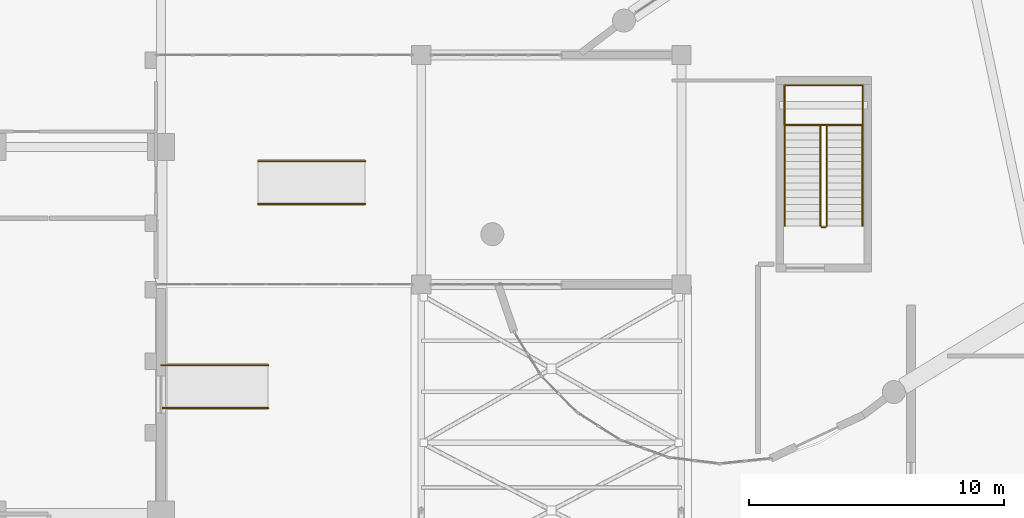
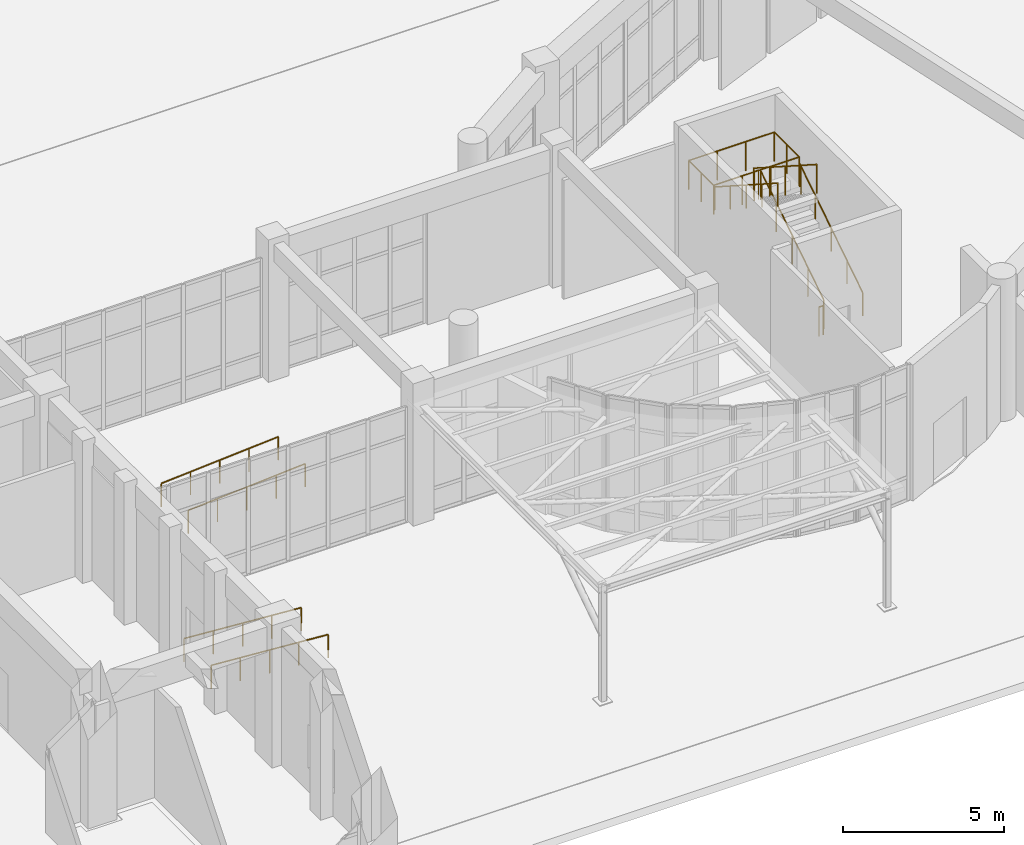
# One storey, part 62 of 70: 12 railings.
"""IFC4 building model written with IfcOpenShell, lengths in metres."""

from ifc_helpers import new_model, si_unit, direction, frame, origin, origin_2d, place, context, subcontext, project, spatial, circle, extrude, material, type_object, element, save


model = new_model("IFC4")

# Units and contexts
model_context = context("Model", 3, precision=1e-05, world=origin(), true_north=direction((0.0, 1.0)))
body_context = subcontext(model_context, "Body", "Model", "MODEL_VIEW")
ifc_project = project(units=[si_unit("LENGTHUNIT", "METRE"), si_unit("AREAUNIT", "SQUARE_METRE"), si_unit("VOLUMEUNIT", "CUBIC_METRE"), si_unit("PLANEANGLEUNIT", "RADIAN"), si_unit("MASSUNIT", "GRAM", prefix="KILO")], contexts=[model_context])

# Site, building, storey
site_placement = place(None, origin())
site = spatial("IfcSite", under=ifc_project, at=site_placement, CompositionType="ELEMENT")
building_placement = place(site_placement, origin())
building = spatial("IfcBuilding", under=site, at=building_placement, Name="Miralva Faculty of Natural Sciences", CompositionType="ELEMENT")
storey_placement = place(building_placement, origin())
storey = spatial("IfcBuildingStorey", under=building, at=storey_placement, Name="L00", CompositionType="ELEMENT", Elevation=0.0)

# Railings
ifc_material = material(Name="Steel S355", Category="steel")
railing_type_1 = type_object("IfcRailingType", Name="RL-GR01", PredefinedType="GUARDRAIL", material=ifc_material)
railing_1_placement = place(storey_placement, frame((62.10009765625, 20.300048828125, 0.179931640625)))
element("IfcRailing", 1, at=railing_1_placement, inside=storey, type_object=railing_type_1, Name="Stair Core C6 safety guard L00-1", PredefinedType="GUARDRAIL", context=body_context, shape_type="SweptSolid", body=[
    extrude(circle(Radius=0.02392578125, at=origin_2d()), frame((0.0, 0.0, 1.09619140625), z_axis=(0.0, 0.841171666519, 0.540768182723), x_axis=(-1.0, 0.0, 0.0)), (0.0, 0.0, 1.0), 4.66015625),
    extrude(circle(Radius=0.02099609375, at=origin_2d()), origin(), (0.0, 0.0, 1.0), 1.072021484375),
    extrude(circle(Radius=0.02099609375, at=origin_2d()), frame((0.0, 0.97998046875, 0.6298828125)), (0.0, 0.0, 1.0), 1.072021484375),
    extrude(circle(Radius=0.02099609375, at=origin_2d()), frame((0.0, 1.9599609375, 1.260009765625)), (0.0, 0.0, 1.0), 1.072021484375),
    extrude(circle(Radius=0.02099609375, at=origin_2d()), frame((0.0, 2.93994140625, 1.89013671875)), (0.0, 0.0, 1.0), 1.072021484375),
    extrude(circle(Radius=0.02099609375, at=origin_2d()), frame((0.0, 3.919921875, 2.52001953125)), (0.0, 0.0, 1.0), 1.072021484375),
])
railing_2_placement = place(storey_placement, frame((62.050048828125, 24.27001953125, 2.699951171875)))
element("IfcRailing", 2, at=railing_2_placement, inside=storey, type_object=railing_type_1, Name="Stair Core C6 safety guard L00-2", PredefinedType="GUARDRAIL", context=body_context, shape_type="SweptSolid", body=[
    extrude(circle(Radius=0.02392578125, at=origin_2d()), frame((0.0, 0.0, 1.09619140625), z_axis=(-1.0, 0.0, 0.0), x_axis=(0.0, -1.0, 0.0)), (0.0, 0.0, 1.0), 0.150146484375),
    extrude(circle(Radius=0.02099609375, at=origin_2d()), origin(), (0.0, 0.0, 1.0), 1.072021484375),
    extrude(circle(Radius=0.02099609375, at=origin_2d()), frame((-0.150146484375, 0.0, 0.0)), (0.0, 0.0, 1.0), 1.072021484375),
])
railing_3_placement = place(storey_placement, frame((61.85009765625, 24.219970703125, 2.8798828125)))
element("IfcRailing", 3, at=railing_3_placement, inside=storey, type_object=railing_type_1, Name="Stair Core C6 safety guard L00-3", PredefinedType="GUARDRAIL", context=body_context, shape_type="SweptSolid", body=[
    extrude(circle(Radius=0.02392578125, at=origin_2d()), frame((0.0, 0.0, 1.09619140625), z_axis=(0.0, -0.841171666519, 0.540768182723), x_axis=(1.0, 0.0, 0.0)), (0.0, 0.0, 1.0), 4.66015625),
    extrude(circle(Radius=0.02099609375, at=origin_2d()), origin(), (0.0, 0.0, 1.0), 1.072021484375),
    extrude(circle(Radius=0.02099609375, at=origin_2d()), frame((0.0, -0.97998046875, 0.6298828125)), (0.0, 0.0, 1.0), 1.072021484375),
    extrude(circle(Radius=0.02099609375, at=origin_2d()), frame((0.0, -1.9599609375, 1.260009765625)), (0.0, 0.0, 1.0), 1.072021484375),
    extrude(circle(Radius=0.02099609375, at=origin_2d()), frame((0.0, -2.93994140625, 1.89013671875)), (0.0, 0.0, 1.0), 1.072021484375),
    extrude(circle(Radius=0.02099609375, at=origin_2d()), frame((0.0, -3.919921875, 2.52001953125)), (0.0, 0.0, 1.0), 1.072021484375),
])
railing_4_placement = place(storey_placement, frame((62.050048828125, 20.25, 0.0)))
element("IfcRailing", 4, at=railing_4_placement, inside=storey, type_object=railing_type_1, Name="Stair Core C6 safety guard L00-4", PredefinedType="GUARDRAIL", context=body_context, shape_type="SweptSolid", body=[
    extrude(circle(Radius=0.02392578125, at=origin_2d()), frame((0.0, 0.0, 1.09619140625), z_axis=(-1.0, 0.0, 0.0), x_axis=(0.0, -1.0, 0.0)), (0.0, 0.0, 1.0), 0.150146484375),
    extrude(circle(Radius=0.02099609375, at=origin_2d()), origin(), (0.0, 0.0, 1.0), 1.072021484375),
    extrude(circle(Radius=0.02099609375, at=origin_2d()), frame((-0.150146484375, 0.0, 0.0)), (0.0, 0.0, 1.0), 1.072021484375),
])
railing_5_placement = place(storey_placement, frame((60.43994140625, 24.260009765625, 2.699951171875)))
element("IfcRailing", 5, at=railing_5_placement, inside=storey, type_object=railing_type_1, Name="Stair Core C6 half-landing guard L00-1A", PredefinedType="GUARDRAIL", context=body_context, shape_type="SweptSolid", body=[
    extrude(circle(Radius=0.02392578125, at=origin_2d()), frame((0.0, 0.0, 1.09619140625), z_axis=(0.0, 1.0, 0.0), x_axis=(-1.0, 0.0, 0.0)), (0.0, 0.0, 1.0), 1.550048828125),
    extrude(circle(Radius=0.02392578125, at=origin_2d()), frame((0.0, 1.550048828125, 1.09619140625), z_axis=(1.0, 0.0, 0.0), x_axis=(0.0, 1.0, 0.0)), (0.0, 0.0, 1.0), 3.070068359375),
    extrude(circle(Radius=0.02099609375, at=origin_2d()), origin(), (0.0, 0.0, 1.0), 1.072021484375),
    extrude(circle(Radius=0.02099609375, at=origin_2d()), frame((0.0, 0.77490234375, 0.0)), (0.0, 0.0, 1.0), 1.072021484375),
    extrude(circle(Radius=0.02099609375, at=origin_2d()), frame((0.0, 1.550048828125, 0.0)), (0.0, 0.0, 1.0), 1.072021484375),
    extrude(circle(Radius=0.02099609375, at=origin_2d()), frame((1.0234375, 1.550048828125, 0.0)), (0.0, 0.0, 1.0), 1.072021484375),
    extrude(circle(Radius=0.02099609375, at=origin_2d()), frame((2.046630859375, 1.550048828125, 0.0)), (0.0, 0.0, 1.0), 1.072021484375),
    extrude(circle(Radius=0.02099609375, at=origin_2d()), frame((3.070068359375, 1.550048828125, 0.0)), (0.0, 0.0, 1.0), 1.072021484375),
])
railing_6_placement = place(storey_placement, frame((63.510009765625, 25.81005859375, 2.699951171875)))
element("IfcRailing", 6, at=railing_6_placement, inside=storey, type_object=railing_type_1, Name="Stair Core C6 half-landing guard L00-1B", PredefinedType="GUARDRAIL", context=body_context, shape_type="SweptSolid", body=[
    extrude(circle(Radius=0.02392578125, at=origin_2d()), frame((0.0, 0.0, 1.09619140625), z_axis=(0.0, -1.0, 0.0), x_axis=(1.0, 0.0, 0.0)), (0.0, 0.0, 1.0), 1.550048828125),
    extrude(circle(Radius=0.02392578125, at=origin_2d()), frame((0.0, -1.550048828125, 1.09619140625), z_axis=(-1.0, 0.0, 0.0), x_axis=(0.0, -1.0, 0.0)), (0.0, 0.0, 1.0), 3.070068359375),
    extrude(circle(Radius=0.02099609375, at=origin_2d()), origin(), (0.0, 0.0, 1.0), 1.072021484375),
    extrude(circle(Radius=0.02099609375, at=origin_2d()), frame((0.0, -0.77490234375, 0.0)), (0.0, 0.0, 1.0), 1.072021484375),
    extrude(circle(Radius=0.02099609375, at=origin_2d()), frame((0.0, -1.550048828125, 0.0)), (0.0, 0.0, 1.0), 1.072021484375),
    extrude(circle(Radius=0.02099609375, at=origin_2d()), frame((-1.0234375, -1.550048828125, 0.0)), (0.0, 0.0, 1.0), 1.072021484375),
    extrude(circle(Radius=0.02099609375, at=origin_2d()), frame((-2.046630859375, -1.550048828125, 0.0)), (0.0, 0.0, 1.0), 1.072021484375),
    extrude(circle(Radius=0.02099609375, at=origin_2d()), frame((-3.070068359375, -1.550048828125, 0.0)), (0.0, 0.0, 1.0), 1.072021484375),
])
railing_type_2 = type_object("IfcRailingType", Name="RL-HR01", PredefinedType="HANDRAIL", material=ifc_material)
railing_7_placement = place(storey_placement, frame((63.5, 20.300048828125, 0.179931640625)))
element("IfcRailing", 7, at=railing_7_placement, inside=storey, type_object=railing_type_2, Name="Stair Core C6 handrail L00-1", PredefinedType="HANDRAIL", context=body_context, shape_type="SweptSolid", body=[
    extrude(circle(Radius=0.02392578125, at=origin_2d()), frame((0.0, 0.0, 0.8759765625), z_axis=(0.0, 0.841171666519, 0.540768182723), x_axis=(-1.0, 0.0, 0.0)), (0.0, 0.0, 1.0), 4.66015625),
    extrude(circle(Radius=0.02099609375, at=origin_2d()), origin(), (0.0, 0.0, 1.0), 0.851806640625),
    extrude(circle(Radius=0.02099609375, at=origin_2d()), frame((0.0, 0.97998046875, 0.6298828125)), (0.0, 0.0, 1.0), 0.851806640625),
    extrude(circle(Radius=0.02099609375, at=origin_2d()), frame((0.0, 1.9599609375, 1.260009765625)), (0.0, 0.0, 1.0), 0.851806640625),
    extrude(circle(Radius=0.02099609375, at=origin_2d()), frame((0.0, 2.93994140625, 1.89013671875)), (0.0, 0.0, 1.0), 0.851806640625),
    extrude(circle(Radius=0.02099609375, at=origin_2d()), frame((0.0, 3.919921875, 2.52001953125)), (0.0, 0.0, 1.0), 0.851806640625),
])
railing_8_placement = place(storey_placement, frame((60.449951171875, 24.219970703125, 2.8798828125)))
element("IfcRailing", 8, at=railing_8_placement, inside=storey, type_object=railing_type_2, Name="Stair Core C6 handrail L00-2", PredefinedType="HANDRAIL", context=body_context, shape_type="SweptSolid", body=[
    extrude(circle(Radius=0.02392578125, at=origin_2d()), frame((0.0, 0.0, 0.8759765625), z_axis=(0.0, -0.841171666519, 0.540768182723), x_axis=(1.0, 0.0, 0.0)), (0.0, 0.0, 1.0), 4.66015625),
    extrude(circle(Radius=0.02099609375, at=origin_2d()), origin(), (0.0, 0.0, 1.0), 0.851806640625),
    extrude(circle(Radius=0.02099609375, at=origin_2d()), frame((0.0, -0.97998046875, 0.6298828125)), (0.0, 0.0, 1.0), 0.851806640625),
    extrude(circle(Radius=0.02099609375, at=origin_2d()), frame((0.0, -1.9599609375, 1.260009765625)), (0.0, 0.0, 1.0), 0.851806640625),
    extrude(circle(Radius=0.02099609375, at=origin_2d()), frame((0.0, -2.93994140625, 1.89013671875)), (0.0, 0.0, 1.0), 0.851806640625),
    extrude(circle(Radius=0.02099609375, at=origin_2d()), frame((0.0, -3.919921875, 2.52001953125)), (0.0, 0.0, 1.0), 0.851806640625),
])
for number, where, name in (
    (9, (40.199951171875, 14.840087890625, -0.300048828125), "Accessible ramp handrail RMP-PED-01-L"),
    (10, (40.199951171875, 13.159912109375, -0.300048828125), "Accessible ramp handrail RMP-PED-01-R"),
):
    element("IfcRailing", number, at=place(storey_placement, frame(where)), inside=storey, type_object=railing_type_2, Name=name, PredefinedType="HANDRAIL", context=body_context, shape_type="SweptSolid", body=[
        extrude(circle(Radius=0.02392578125, at=origin_2d()), frame((0.0, 0.0, 0.8759765625), z_axis=(-0.997457816785, 0.0, 0.071259411546), x_axis=(0.0, -1.0, 0.0)), (0.0, 0.0, 1.0), 4.210693359375),
        extrude(circle(Radius=0.02099609375, at=origin_2d()), origin(), (0.0, 0.0, 1.0), 0.851806640625),
        extrude(circle(Radius=0.02099609375, at=origin_2d()), frame((-1.050048828125, 0.0, 0.074951171875)), (0.0, 0.0, 1.0), 0.851806640625),
        extrude(circle(Radius=0.02099609375, at=origin_2d()), frame((-2.10009765625, 0.0, 0.14990234375)), (0.0, 0.0, 1.0), 0.851806640625),
        extrude(circle(Radius=0.02099609375, at=origin_2d()), frame((-3.14990234375, 0.0, 0.22509765625)), (0.0, 0.0, 1.0), 0.851806640625),
        extrude(circle(Radius=0.02099609375, at=origin_2d()), frame((-4.199951171875, 0.0, 0.300048828125)), (0.0, 0.0, 1.0), 0.851806640625),
    ])
for number, where, name in (
    (11, (39.800048828125, 21.159912109375, -0.300048828125), "Accessible ramp handrail RMP-PED-02-L"),
    (12, (39.800048828125, 22.840087890625, -0.300048828125), "Accessible ramp handrail RMP-PED-02-R"),
):
    element("IfcRailing", number, at=place(storey_placement, frame(where)), inside=storey, type_object=railing_type_2, Name=name, PredefinedType="HANDRAIL", context=body_context, shape_type="SweptSolid", body=[
        extrude(circle(Radius=0.02392578125, at=origin_2d()), frame((0.0, 0.0, 0.8759765625), z_axis=(0.997457816785, 0.0, 0.071259411546), x_axis=(0.0, 1.0, 0.0)), (0.0, 0.0, 1.0), 4.210693359375),
        extrude(circle(Radius=0.02099609375, at=origin_2d()), origin(), (0.0, 0.0, 1.0), 0.851806640625),
        extrude(circle(Radius=0.02099609375, at=origin_2d()), frame((1.050048828125, 0.0, 0.074951171875)), (0.0, 0.0, 1.0), 0.851806640625),
        extrude(circle(Radius=0.02099609375, at=origin_2d()), frame((2.10009765625, 0.0, 0.14990234375)), (0.0, 0.0, 1.0), 0.851806640625),
        extrude(circle(Radius=0.02099609375, at=origin_2d()), frame((3.14990234375, 0.0, 0.22509765625)), (0.0, 0.0, 1.0), 0.851806640625),
        extrude(circle(Radius=0.02099609375, at=origin_2d()), frame((4.199951171875, 0.0, 0.300048828125)), (0.0, 0.0, 1.0), 0.851806640625),
    ])

save(model, "model.ifc")
